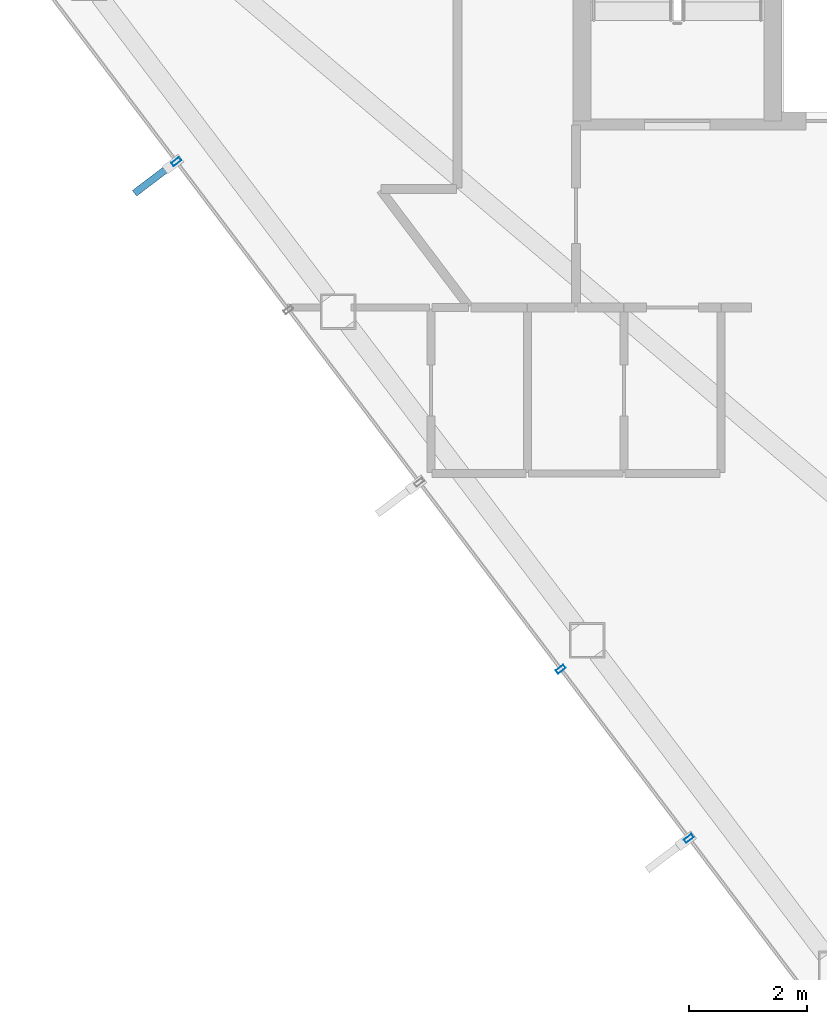
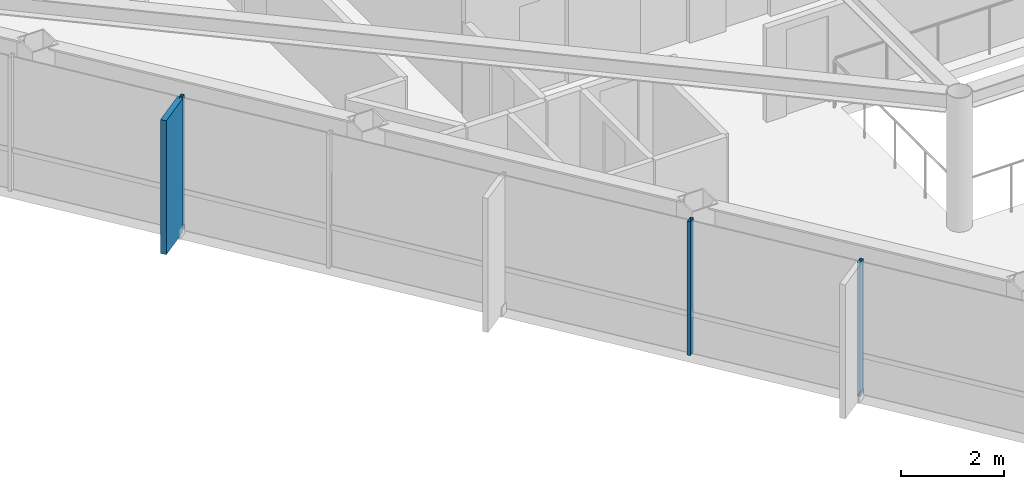
# One storey, part 2 of 27: 4 members, 1 element without a shape of its own.
"""IFC4 building model written with IfcOpenShell, lengths in metres."""

from ifc_helpers import new_model, si_unit, direction, frame, origin, origin_2d, place, context, subcontext, project, spatial, rectangle, hollow_rectangle, extrude, material, layer, layer_set, material_profile, profile_set, type_object, element, aggregate, save


model = new_model("IFC4")

# Units and contexts
model_context = context("Model", 3, precision=1e-05, world=origin(), true_north=direction((0.0, 1.0)))
body_context = subcontext(model_context, "Body", "Model", "MODEL_VIEW")
ifc_project = project(units=[si_unit("LENGTHUNIT", "METRE"), si_unit("AREAUNIT", "SQUARE_METRE"), si_unit("VOLUMEUNIT", "CUBIC_METRE"), si_unit("PLANEANGLEUNIT", "RADIAN"), si_unit("MASSUNIT", "GRAM", prefix="KILO")], contexts=[model_context])

# Site, building, storey
site_placement = place(None, origin())
site = spatial("IfcSite", under=ifc_project, at=site_placement, CompositionType="ELEMENT")
building_placement = place(site_placement, origin())
building = spatial("IfcBuilding", under=site, at=building_placement, Name="Zarrinselat Tower", CompositionType="ELEMENT")
storey_placement = place(building_placement, frame((0.0, 0.0, 229.159912109375)))
storey = spatial("IfcBuildingStorey", under=building, at=storey_placement, Name="L57", CompositionType="ELEMENT", Elevation=229.159912109375)

# Curtain wall, members
ifc_material_1 = material(Name="Extruded Aluminium Alloy EN AW-6063 T6", Category="aluminium")
ifc_layer = layer(ifc_material_1, 0.169921875)
ifc_layer_set = layer_set([ifc_layer], Name="Extruded Aluminium Alloy EN AW-6063 T6")
curtain_wall_type = type_object("IfcCurtainWallType", Name="CWS-RES", PredefinedType="NOTDEFINED", material=ifc_layer_set)
curtain_wall_placement = place(storey_placement, origin())
curtain_wall = element("IfcCurtainWall", 1, at=curtain_wall_placement, inside=storey, type_object=curtain_wall_type, Name="L57 Unitised Curtain Wall CW-L57-E03", PredefinedType="NOTDEFINED")
ifc_material_2 = material(Name="Extruded Aluminium Alloy EN AW-6063 T6", Category="aluminium")
ifc_material_profile_1 = material_profile(ifc_material_2, hollow_rectangle(XDim=0.070068359375, YDim=0.159912109375, WallThickness=0.00390625, at=origin_2d()), Name="RHS 160x70x4")
ifc_profile_set_1 = profile_set([ifc_material_profile_1], Name="Extruded Aluminium Alloy EN AW-6063 T6")
member_type_1 = type_object("IfcMemberType", Name="MEM-CW-MUL2", PredefinedType="MULLION", material=ifc_profile_set_1)
member_1_placement = place(storey_placement, frame((21.802001953125, 32.61376953125, 0.0), z_axis=(0.0, 0.0, 1.0), x_axis=(0.603857419315, -0.7970923517, 0.0)))
member_1 = element("IfcMember", 2, at=member_1_placement, type_object=member_type_1, Name="CW-L57-E03 Mullion 3", PredefinedType="MULLION", context=body_context, shape_type="SweptSolid", body=[
    extrude(hollow_rectangle(XDim=0.070068359375, YDim=0.159912109375, WallThickness=0.00390625, at=origin_2d()), origin(), (0.0, 0.0, 1.0), 3.18017578125),
])
member_2_placement = place(storey_placement, frame((28.292724609375, 24.0458984375, 0.0), z_axis=(0.0, 0.0, 1.0), x_axis=(0.603857419315, -0.7970923517, 0.0)))
member_2 = element("IfcMember", 3, at=member_2_placement, type_object=member_type_1, Name="CW-L57-E03 Mullion 6", PredefinedType="MULLION", context=body_context, shape_type="SweptSolid", body=[
    extrude(hollow_rectangle(XDim=0.070068359375, YDim=0.159912109375, WallThickness=0.00390625, at=origin_2d()), origin(), (0.0, 0.0, 1.0), 3.18017578125),
])
member_3_placement = place(storey_placement, frame((30.456298828125, 21.18994140625, 0.0), z_axis=(0.0, 0.0, 1.0), x_axis=(0.603857419315, -0.7970923517, 0.0)))
member_3 = element("IfcMember", 4, at=member_3_placement, type_object=member_type_1, Name="CW-L57-E03 Mullion 7", PredefinedType="MULLION", context=body_context, shape_type="SweptSolid", body=[
    extrude(hollow_rectangle(XDim=0.070068359375, YDim=0.159912109375, WallThickness=0.00390625, at=origin_2d()), origin(), (0.0, 0.0, 1.0), 3.18017578125),
])
ifc_material_3 = material(Name="Honed Cream Travertine Stone", Category="masonry")
ifc_material_profile_2 = material_profile(ifc_material_3, rectangle(XDim=0.1201171875, YDim=0.85009765625, at=origin_2d()), Name="FIN 850x120")
ifc_profile_set_2 = profile_set([ifc_material_profile_2], Name="Honed Cream Travertine Stone")
member_type_2 = type_object("IfcMemberType", Name="MEM-STONE-FIN", PredefinedType="USERDEFINED", material=ifc_profile_set_2)
member_4_placement = place(storey_placement, frame((21.435302734375, 32.3359375, 0.0), z_axis=(0.0, 0.0, 1.0), x_axis=(-0.603857419315, 0.7970923517, 0.0)))
member_4 = element("IfcMember", 5, at=member_4_placement, type_object=member_type_2, Name="L57 Stone Shading Fin CW-L57-E03-03", ObjectType="FIN", PredefinedType="USERDEFINED", context=body_context, shape_type="SweptSolid", body=[
    extrude(rectangle(XDim=0.1201171875, YDim=0.85009765625, at=origin_2d()), origin(), (0.0, 0.0, 1.0), 3.18017578125),
])
aggregate(curtain_wall, [member_1, member_4, member_2, member_3])

save(model, "model.ifc")
